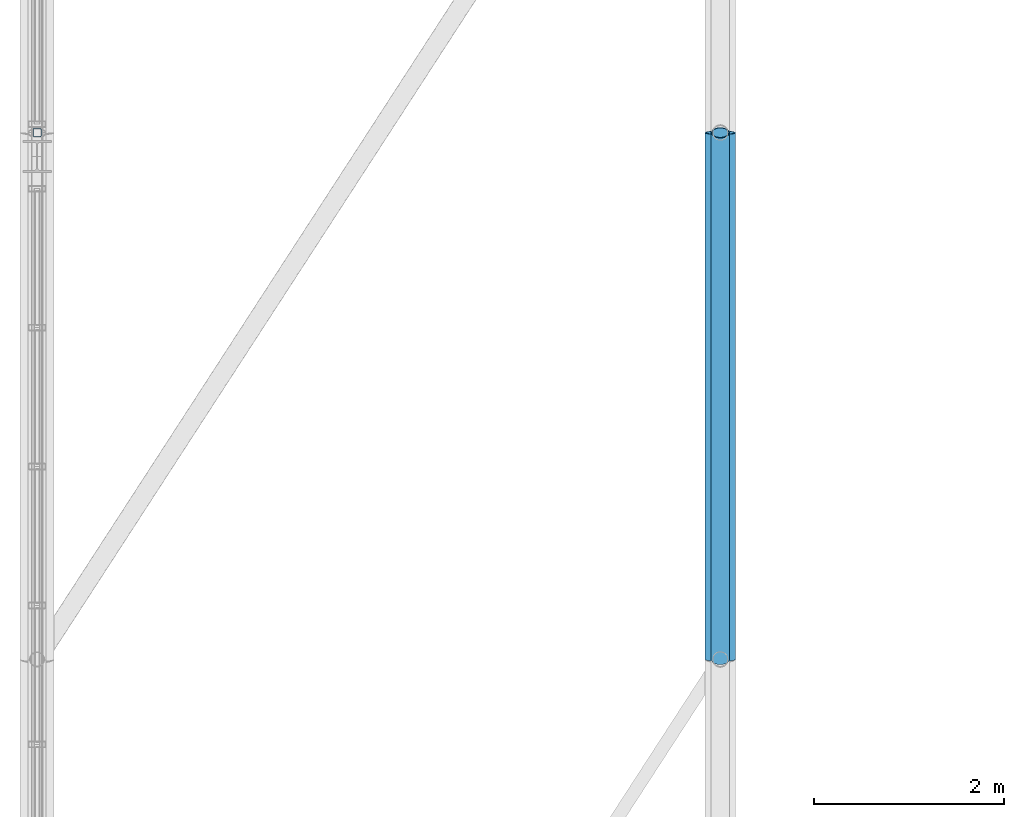
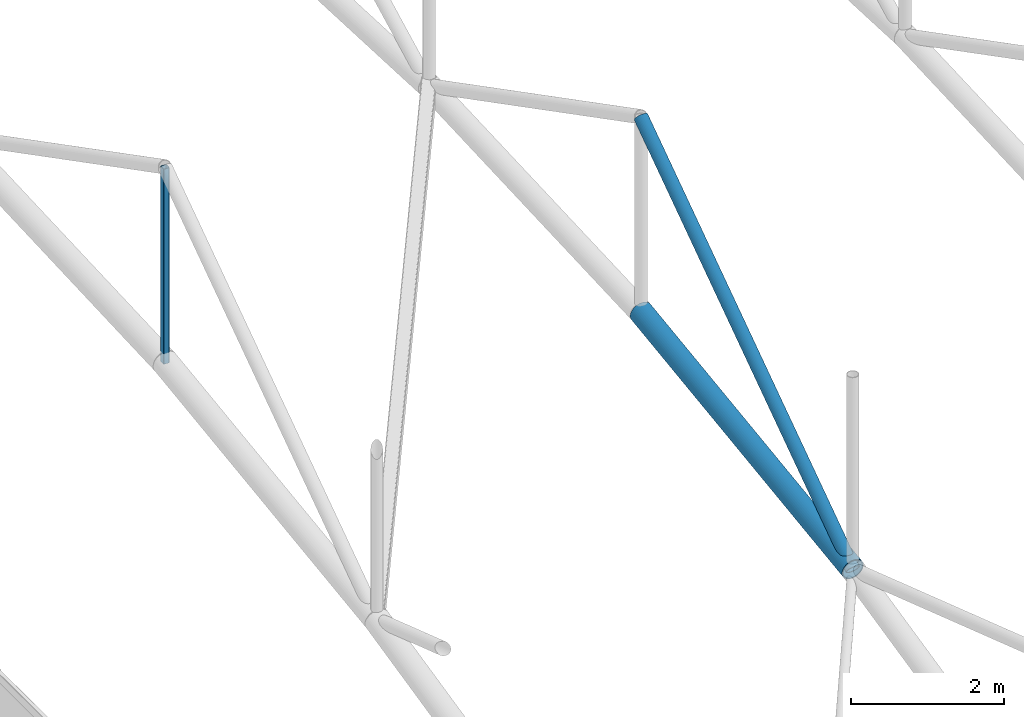
# One storey, part 28 of 153: 3 members.
"""IFC4 building model written with IfcOpenShell, lengths in metres."""

from ifc_helpers import new_model, si_unit, derived_unit, direction, frame, origin, origin_2d, place, context, subcontext, project, spatial, hollow_rectangle, hollow_circle, extrude, material, material_profile, profile_set, type_object, element, save


model = new_model("IFC4")

# Units and contexts
model_context = context("Model", 3, precision=1e-05, world=origin(), true_north=direction((0.0, 1.0)))
body_context = subcontext(model_context, "Body", "Model", "MODEL_VIEW")
ifc_project = project(units=[si_unit("LENGTHUNIT", "METRE"), si_unit("AREAUNIT", "SQUARE_METRE"), si_unit("VOLUMEUNIT", "CUBIC_METRE"), si_unit("PLANEANGLEUNIT", "RADIAN"), si_unit("MASSUNIT", "GRAM", prefix="KILO"), derived_unit("THERMALTRANSMITTANCEUNIT", [(si_unit("POWERUNIT", "WATT"), 1), (si_unit("LENGTHUNIT", "METRE"), -2), (si_unit("THERMODYNAMICTEMPERATUREUNIT", "KELVIN"), -1)])], contexts=[model_context])

# Site, building, storey
site_placement = place(None, origin())
site = spatial("IfcSite", under=ifc_project, at=site_placement, CompositionType="ELEMENT")
building_placement = place(site_placement, origin())
building = spatial("IfcBuilding", under=site, at=building_placement, Name="Keldorne Ridge Multi-Sports Centre", CompositionType="ELEMENT")
storey_placement = place(building_placement, frame((0.0, 0.0, 9.60009765625)))
storey = spatial("IfcBuildingStorey", under=building, at=storey_placement, Name="L02", CompositionType="ELEMENT", Elevation=9.60009765625)

# Members
ifc_material = material(Name="Steel S355", Category="steel")
ifc_material_profile_1 = material_profile(ifc_material, hollow_circle(Radius=0.161865234375, WallThickness=0.01611328125, at=origin_2d()), Name="CHS 323.9x16")
ifc_profile_set_1 = profile_set([ifc_material_profile_1], Name="Steel S355")
member_type_1 = type_object("IfcMemberType", Name="MEM-TC-02", PredefinedType="CHORD", material=ifc_profile_set_1)
member_1_placement = place(storey_placement, frame((13.199951171875, 20.699951171875, 9.3798828125), z_axis=(0.0, 0.990992586768, 0.13391673895), x_axis=(-1.0, 0.0, 0.0)))
element("IfcMember", 1, at=member_1_placement, inside=storey, type_object=member_type_1, Name="Main Hall ROOF TRUSS AT-02 bottom chord 3", PredefinedType="CHORD", context=body_context, shape_type="SweptSolid", body=[
    extrude(hollow_circle(Radius=0.161865234375, WallThickness=0.01611328125, at=origin_2d()), origin(), (0.0, 0.0, 1.0), 5.6005859375),
])
ifc_material_profile_2 = material_profile(ifc_material, hollow_circle(Radius=0.096923828125, WallThickness=0.010009765625, at=origin_2d()), Name="CHS 193.7x10")
ifc_profile_set_2 = profile_set([ifc_material_profile_2], Name="Steel S355")
member_type_2 = type_object("IfcMemberType", Name="MEM-TD-01", PredefinedType="BRACE", material=ifc_profile_set_2)
member_2_placement = place(storey_placement, frame((13.199951171875, 20.699951171875, 9.3798828125), z_axis=(0.0, 0.820266325192, 0.571981779217), x_axis=(-1.0, 0.0, 0.0)))
element("IfcMember", 2, at=member_2_placement, inside=storey, type_object=member_type_2, Name="Main Hall ROOF TRUSS AT-02 diagonal 3", PredefinedType="BRACE", context=body_context, shape_type="SweptSolid", body=[
    extrude(hollow_circle(Radius=0.096923828125, WallThickness=0.010009765625, at=origin_2d()), origin(), (0.0, 0.0, 1.0), 6.76611328125),
])
ifc_material_profile_3 = material_profile(ifc_material, hollow_rectangle(XDim=0.090087890625, YDim=0.090087890625, WallThickness=0.00634765625, InnerFilletRadius=0.00634765625, OuterFilletRadius=0.0126953125, at=origin_2d()), Name="SHS 90x90x6.3")
ifc_profile_set_3 = profile_set([ifc_material_profile_3], Name="Steel S355")
member_type_3 = type_object("IfcMemberType", Name="MEM-TV-08", PredefinedType="STRUT", material=ifc_profile_set_3)
member_3_placement = place(storey_placement, frame((6.0, 26.25, 11.849853515625), z_axis=(0.0, 0.0, 1.0), x_axis=(1.0, 0.0, 0.0)))
element("IfcMember", 3, at=member_3_placement, inside=storey, type_object=member_type_3, Name="Main Hall ROOF TRUSS AT-01 vertical 4", PredefinedType="STRUT", context=body_context, shape_type="SweptSolid", body=[
    extrude(hollow_rectangle(XDim=0.090087890625, YDim=0.090087890625, WallThickness=0.00634765625, InnerFilletRadius=0.00634765625, OuterFilletRadius=0.0126953125, at=origin_2d()), origin(), (0.0, 0.0, 1.0), 3.1201171875),
])

save(model, "model.ifc")
